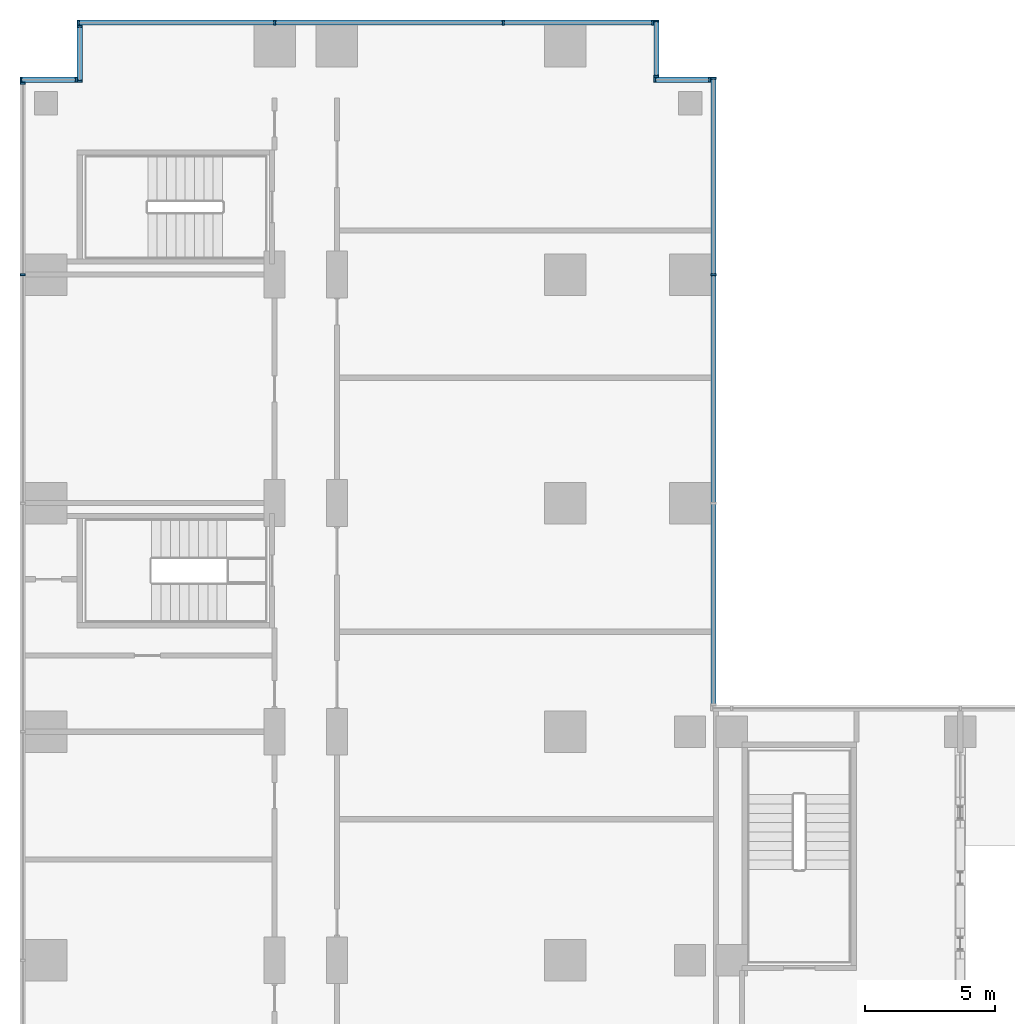
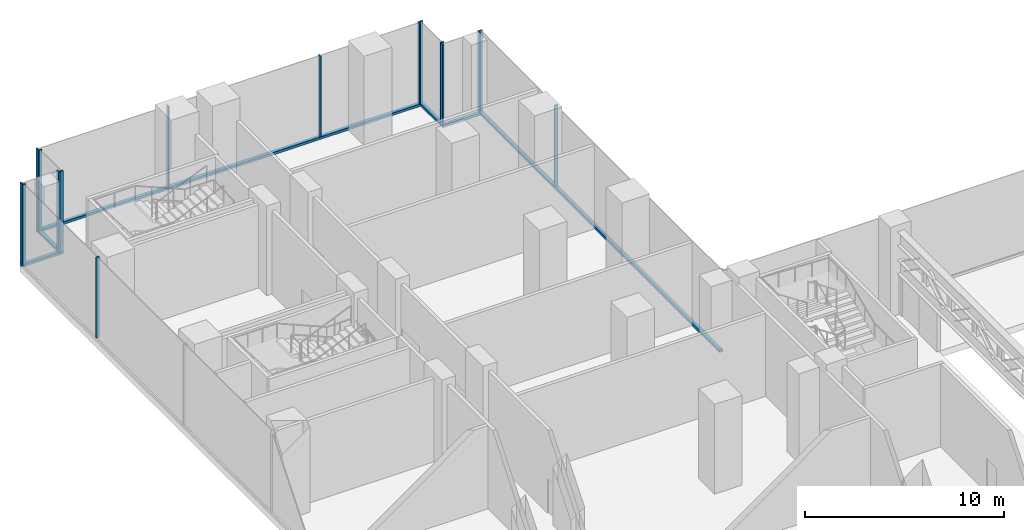
# One storey, part 11 of 30: 22 members, 7 elements without a shape of their own.
"""IFC4 building model written with IfcOpenShell, lengths in metres."""

from ifc_helpers import new_model, si_unit, direction, frame, origin, origin_2d, place, context, subcontext, project, spatial, rectangle, extrude, source, transform, mapped, material, material_profile, profile_set, type_object, element, aggregate, save


model = new_model("IFC4")

# Units and contexts
model_context = context("Model", 3, precision=1e-05, world=origin(), true_north=direction((0.0, 1.0)))
body_context = subcontext(model_context, "Body", "Model", "MODEL_VIEW")
ifc_project = project(units=[si_unit("LENGTHUNIT", "METRE"), si_unit("AREAUNIT", "SQUARE_METRE"), si_unit("VOLUMEUNIT", "CUBIC_METRE"), si_unit("PLANEANGLEUNIT", "RADIAN"), si_unit("MASSUNIT", "GRAM", prefix="KILO")], contexts=[model_context])

# Site, building, storey
site_placement = place(None, origin())
site = spatial("IfcSite", under=ifc_project, at=site_placement, CompositionType="ELEMENT")
building_placement = place(site_placement, origin())
building = spatial("IfcBuilding", under=site, at=building_placement, Name="Kemantara Hotel Tower", CompositionType="ELEMENT")
storey_placement = place(building_placement, frame((0.0, 0.0, 23.5)))
storey = spatial("IfcBuildingStorey", under=building, at=storey_placement, Name="L04", CompositionType="ELEMENT", Elevation=23.5)

# Curtain wall, member
ifc_material_1 = material(Name="Laminated tinted insulated glass 44 mm", Category="glass")
curtain_wall_type = type_object("IfcCurtainWallType", Name="PODIUM GLASS CURTAIN WALL", PredefinedType="USERDEFINED", material=ifc_material_1)
curtain_wall_1_placement = place(storey_placement, origin())
curtain_wall_1 = element("IfcCurtainWall", 1, at=curtain_wall_1_placement, inside=storey, type_object=curtain_wall_type, Name="CW1 L04 POD-R10-1", ObjectType="PODIUM GLASS CURTAIN WALL", PredefinedType="USERDEFINED")
ifc_material_2 = material(Name="Aluminium 6063-T6 bronze anodised", Category="aluminium")
ifc_material_profile_1 = material_profile(ifc_material_2, rectangle(XDim=0.199951171875, YDim=0.14990234375, at=origin_2d()), Name="PODIUM GLASS CURTAIN WALL TRANSOM")
ifc_profile_set_1 = profile_set([ifc_material_profile_1], Name="Aluminium 6063-T6 bronze anodised")
member_type_1 = type_object("IfcMemberType", Name="PODIUM GLASS CURTAIN WALL TRANSOM", PredefinedType="USERDEFINED", material=ifc_profile_set_1)
member_1_placement = place(storey_placement, frame((26.699951171875, 54.800048828125, 0.074951171875), z_axis=(0.0, 1.0, 0.0), x_axis=(-1.0, 0.0, 0.0)))
member_1 = element("IfcMember", 2, at=member_1_placement, type_object=member_type_1, Name="CW1 sill transom POD-R10-1", ObjectType="TRANSOM", PredefinedType="USERDEFINED", context=body_context, shape_type="SweptSolid", body=[
    extrude(rectangle(XDim=0.199951171875, YDim=0.14990234375, at=origin_2d()), origin(), (0.0, 0.0, 1.0), 24.199951171875),
])

curtain_wall_2_placement = place(storey_placement, origin())
curtain_wall_2 = element("IfcCurtainWall", 3, at=curtain_wall_2_placement, inside=storey, type_object=curtain_wall_type, Name="CW1 L04 POD-R13-1", ObjectType="PODIUM GLASS CURTAIN WALL", PredefinedType="USERDEFINED")
member_2_placement = place(storey_placement, frame((24.39990234375, 81.10009765625, 0.074951171875), z_axis=(-1.0, 0.0, 0.0), x_axis=(0.0, -1.0, 0.0)))
member_2 = element("IfcMember", 4, at=member_2_placement, type_object=member_type_1, Name="CW1 sill transom POD-R13-1", ObjectType="TRANSOM", PredefinedType="USERDEFINED", context=body_context, shape_type="SweptSolid", body=[
    extrude(rectangle(XDim=0.199951171875, YDim=0.14990234375, at=origin_2d()), origin(), (0.0, 0.0, 1.0), 22.199951171875),
])

curtain_wall_3_placement = place(storey_placement, origin())
curtain_wall_3 = element("IfcCurtainWall", 5, at=curtain_wall_3_placement, inside=storey, type_object=curtain_wall_type, Name="CW1 L04 POD-R11-1", ObjectType="PODIUM GLASS CURTAIN WALL", PredefinedType="USERDEFINED")
member_3_placement = place(storey_placement, frame((26.60009765625, 78.89990234375, 0.074951171875), z_axis=(-1.0, 0.0, 0.0), x_axis=(0.0, -1.0, 0.0)))
member_3 = element("IfcMember", 6, at=member_3_placement, type_object=member_type_1, Name="CW1 sill transom POD-R11-1", ObjectType="TRANSOM", PredefinedType="USERDEFINED", context=body_context, shape_type="SweptSolid", body=[
    extrude(rectangle(XDim=0.199951171875, YDim=0.14990234375, at=origin_2d()), origin(), (0.0, 0.0, 1.0), 2.2001953125),
])

curtain_wall_4_placement = place(storey_placement, origin())
curtain_wall_4 = element("IfcCurtainWall", 7, at=curtain_wall_4_placement, inside=storey, type_object=curtain_wall_type, Name="CW1 L04 POD-R12-1", ObjectType="PODIUM GLASS CURTAIN WALL", PredefinedType="USERDEFINED")
member_4_placement = place(storey_placement, frame((24.5, 79.0, 0.074951171875), z_axis=(0.0, 1.0, 0.0), x_axis=(-1.0, 0.0, 0.0)))
member_4 = element("IfcMember", 8, at=member_4_placement, type_object=member_type_1, Name="CW1 sill transom POD-R12-1", ObjectType="TRANSOM", PredefinedType="USERDEFINED", context=body_context, shape_type="SweptSolid", body=[
    extrude(rectangle(XDim=0.199951171875, YDim=0.14990234375, at=origin_2d()), origin(), (0.0, 0.0, 1.0), 2.199951171875),
])

curtain_wall_5_placement = place(storey_placement, origin())
curtain_wall_5 = element("IfcCurtainWall", 9, at=curtain_wall_5_placement, inside=storey, type_object=curtain_wall_type, Name="CW1 L04 POD-R14-1", ObjectType="PODIUM GLASS CURTAIN WALL", PredefinedType="USERDEFINED")
member_5_placement = place(storey_placement, frame((2.300048828125, 81.0, 0.074951171875), z_axis=(0.0, -1.0, 0.0), x_axis=(1.0, 0.0, 0.0)))
member_5 = element("IfcMember", 10, at=member_5_placement, type_object=member_type_1, Name="CW1 sill transom POD-R14-1", ObjectType="TRANSOM", PredefinedType="USERDEFINED", context=body_context, shape_type="SweptSolid", body=[
    extrude(rectangle(XDim=0.199951171875, YDim=0.14990234375, at=origin_2d()), origin(), (0.0, 0.0, 1.0), 2.199951171875),
])

curtain_wall_6_placement = place(storey_placement, origin())
curtain_wall_6 = element("IfcCurtainWall", 11, at=curtain_wall_6_placement, inside=storey, type_object=curtain_wall_type, Name="CW1 L04 POD-R15-1", ObjectType="PODIUM GLASS CURTAIN WALL", PredefinedType="USERDEFINED")
member_6_placement = place(storey_placement, frame((2.199951171875, 78.89990234375, 0.074951171875), z_axis=(-1.0, 0.0, 0.0), x_axis=(0.0, -1.0, 0.0)))
member_6 = element("IfcMember", 12, at=member_6_placement, type_object=member_type_1, Name="CW1 sill transom POD-R15-1", ObjectType="TRANSOM", PredefinedType="USERDEFINED", context=body_context, shape_type="SweptSolid", body=[
    extrude(rectangle(XDim=0.199951171875, YDim=0.14990234375, at=origin_2d()), origin(), (0.0, 0.0, 1.0), 2.199951171875),
])

# Member
ifc_material_profile_2 = material_profile(ifc_material_2, rectangle(XDim=0.199951171875, YDim=0.074951171875, at=origin_2d()), Name="PODIUM GLASS CURTAIN WALL MULLION")
ifc_profile_set_2 = profile_set([ifc_material_profile_2], Name="Aluminium 6063-T6 bronze anodised")
member_type_2 = type_object("IfcMemberType", Name="PODIUM GLASS CURTAIN WALL MULLION", PredefinedType="MULLION", material=ifc_profile_set_2)
shared_shape = source(origin(), body_context, "Body", "SweptSolid", [
    extrude(rectangle(XDim=0.199951171875, YDim=0.074951171875, at=origin_2d()), origin(), (0.0, 0.0, 1.0), 4.9501953125),
])
member_7_placement = place(storey_placement, frame((26.699951171875, 71.39990234375, 0.14990234375), z_axis=(0.0, 0.0, 1.0), x_axis=(-1.0, 0.0, 0.0)))
member_7 = element("IfcMember", 13, at=member_7_placement, type_object=member_type_2, Name="CW1 mullion POD-R10-1.3", PredefinedType="MULLION", context=body_context, shape_type="MappedRepresentation", body=[
    mapped(shared_shape, transform((0.0, 0.0, 0.0))),
])

member_8_placement = place(storey_placement, frame((26.699951171875, 78.96240234375, 0.14990234375), z_axis=(0.0, 0.0, 1.0), x_axis=(-1.0, 0.0, 0.0)))
member_8 = element("IfcMember", 14, at=member_8_placement, type_object=member_type_2, Name="CW1 mullion POD-R10-1.4", PredefinedType="MULLION", context=body_context, shape_type="MappedRepresentation", body=[
    mapped(shared_shape, transform((0.0, 0.0, 0.0))),
])

aggregate(curtain_wall_1, [member_1, member_7, member_8])

member_9_placement = place(storey_placement, frame((24.362548828125, 81.10009765625, 0.14990234375), z_axis=(0.0, 0.0, 1.0), x_axis=(0.0, -1.0, 0.0)))
member_9 = element("IfcMember", 15, at=member_9_placement, type_object=member_type_2, Name="CW1 mullion POD-R13-1.1", PredefinedType="MULLION", context=body_context, shape_type="MappedRepresentation", body=[
    mapped(shared_shape, transform((0.0, 0.0, 0.0))),
])

member_10_placement = place(storey_placement, frame((18.60009765625, 81.10009765625, 0.14990234375), z_axis=(0.0, 0.0, 1.0), x_axis=(0.0, -1.0, 0.0)))
member_10 = element("IfcMember", 16, at=member_10_placement, type_object=member_type_2, Name="CW1 mullion POD-R13-1.2", PredefinedType="MULLION", context=body_context, shape_type="MappedRepresentation", body=[
    mapped(shared_shape, transform((0.0, 0.0, 0.0))),
])

member_11_placement = place(storey_placement, frame((9.800048828125, 81.10009765625, 0.14990234375), z_axis=(0.0, 0.0, 1.0), x_axis=(0.0, -1.0, 0.0)))
member_11 = element("IfcMember", 17, at=member_11_placement, type_object=member_type_2, Name="CW1 mullion POD-R13-1.3", PredefinedType="MULLION", context=body_context, shape_type="MappedRepresentation", body=[
    mapped(shared_shape, transform((0.0, 0.0, 0.0))),
])

member_12_placement = place(storey_placement, frame((2.237548828125, 81.10009765625, 0.14990234375), z_axis=(0.0, 0.0, 1.0), x_axis=(0.0, -1.0, 0.0)))
member_12 = element("IfcMember", 18, at=member_12_placement, type_object=member_type_2, Name="CW1 mullion POD-R13-1.4", PredefinedType="MULLION", context=body_context, shape_type="MappedRepresentation", body=[
    mapped(shared_shape, transform((0.0, 0.0, 0.0))),
])

aggregate(curtain_wall_2, [member_2, member_9, member_10, member_11, member_12])

# Curtain wall, members
curtain_wall_7_placement = place(storey_placement, origin())
curtain_wall_7 = element("IfcCurtainWall", 19, at=curtain_wall_7_placement, inside=storey, type_object=curtain_wall_type, Name="CW1 L04 POD-R16-1", ObjectType="PODIUM GLASS CURTAIN WALL", PredefinedType="USERDEFINED")
member_13_placement = place(storey_placement, frame((0.10009765625, 78.762451171875, 0.14990234375), z_axis=(0.0, 0.0, 1.0), x_axis=(1.0, 0.0, 0.0)))
member_13 = element("IfcMember", 20, at=member_13_placement, type_object=member_type_2, Name="CW1 mullion POD-R16-1.1", PredefinedType="MULLION", context=body_context, shape_type="MappedRepresentation", body=[
    mapped(shared_shape, transform((0.0, 0.0, 0.0))),
])
member_14_placement = place(storey_placement, frame((0.10009765625, 71.39990234375, 0.14990234375), z_axis=(0.0, 0.0, 1.0), x_axis=(1.0, 0.0, 0.0)))
member_14 = element("IfcMember", 21, at=member_14_placement, type_object=member_type_2, Name="CW1 mullion POD-R16-1.2", PredefinedType="MULLION", context=body_context, shape_type="MappedRepresentation", body=[
    mapped(shared_shape, transform((0.0, 0.0, 0.0))),
])
aggregate(curtain_wall_7, [member_13, member_14])

# Member
member_15_placement = place(storey_placement, frame((26.5625, 78.89990234375, 0.14990234375), z_axis=(0.0, 0.0, 1.0), x_axis=(0.0, -1.0, 0.0)))
member_15 = element("IfcMember", 22, at=member_15_placement, type_object=member_type_2, Name="CW1 mullion POD-R11-1.1", PredefinedType="MULLION", context=body_context, shape_type="MappedRepresentation", body=[
    mapped(shared_shape, transform((0.0, 0.0, 0.0))),
])

member_16_placement = place(storey_placement, frame((24.4375, 78.89990234375, 0.14990234375), z_axis=(0.0, 0.0, 1.0), x_axis=(0.0, -1.0, 0.0)))
member_16 = element("IfcMember", 23, at=member_16_placement, type_object=member_type_2, Name="CW1 mullion POD-R11-1.2", PredefinedType="MULLION", context=body_context, shape_type="MappedRepresentation", body=[
    mapped(shared_shape, transform((0.0, 0.0, 0.0))),
])

aggregate(curtain_wall_3, [member_3, member_15, member_16])

member_17_placement = place(storey_placement, frame((24.5, 79.03759765625, 0.14990234375), z_axis=(0.0, 0.0, 1.0), x_axis=(-1.0, 0.0, 0.0)))
member_17 = element("IfcMember", 24, at=member_17_placement, type_object=member_type_2, Name="CW1 mullion POD-R12-1.1", PredefinedType="MULLION", context=body_context, shape_type="MappedRepresentation", body=[
    mapped(shared_shape, transform((0.0, 0.0, 0.0))),
])

member_18_placement = place(storey_placement, frame((24.5, 81.16259765625, 0.14990234375), z_axis=(0.0, 0.0, 1.0), x_axis=(-1.0, 0.0, 0.0)))
member_18 = element("IfcMember", 25, at=member_18_placement, type_object=member_type_2, Name="CW1 mullion POD-R12-1.2", PredefinedType="MULLION", context=body_context, shape_type="MappedRepresentation", body=[
    mapped(shared_shape, transform((0.0, 0.0, 0.0))),
])

aggregate(curtain_wall_4, [member_4, member_17, member_18])

member_19_placement = place(storey_placement, frame((2.300048828125, 80.96240234375, 0.14990234375), z_axis=(0.0, 0.0, 1.0), x_axis=(1.0, 0.0, 0.0)))
member_19 = element("IfcMember", 26, at=member_19_placement, type_object=member_type_2, Name="CW1 mullion POD-R14-1.1", PredefinedType="MULLION", context=body_context, shape_type="MappedRepresentation", body=[
    mapped(shared_shape, transform((0.0, 0.0, 0.0))),
])

member_20_placement = place(storey_placement, frame((2.300048828125, 78.83740234375, 0.14990234375), z_axis=(0.0, 0.0, 1.0), x_axis=(1.0, 0.0, 0.0)))
member_20 = element("IfcMember", 27, at=member_20_placement, type_object=member_type_2, Name="CW1 mullion POD-R14-1.2", PredefinedType="MULLION", context=body_context, shape_type="MappedRepresentation", body=[
    mapped(shared_shape, transform((0.0, 0.0, 0.0))),
])

aggregate(curtain_wall_5, [member_5, member_19, member_20])

member_21_placement = place(storey_placement, frame((2.16259765625, 78.89990234375, 0.14990234375), z_axis=(0.0, 0.0, 1.0), x_axis=(0.0, -1.0, 0.0)))
member_21 = element("IfcMember", 28, at=member_21_placement, type_object=member_type_2, Name="CW1 mullion POD-R15-1.1", PredefinedType="MULLION", context=body_context, shape_type="MappedRepresentation", body=[
    mapped(shared_shape, transform((0.0, 0.0, 0.0))),
])

member_22_placement = place(storey_placement, frame((0.03759765625, 78.89990234375, 0.14990234375), z_axis=(0.0, 0.0, 1.0), x_axis=(0.0, -1.0, 0.0)))
member_22 = element("IfcMember", 29, at=member_22_placement, type_object=member_type_2, Name="CW1 mullion POD-R15-1.2", PredefinedType="MULLION", context=body_context, shape_type="MappedRepresentation", body=[
    mapped(shared_shape, transform((0.0, 0.0, 0.0))),
])

aggregate(curtain_wall_6, [member_6, member_21, member_22])

save(model, "model.ifc")
